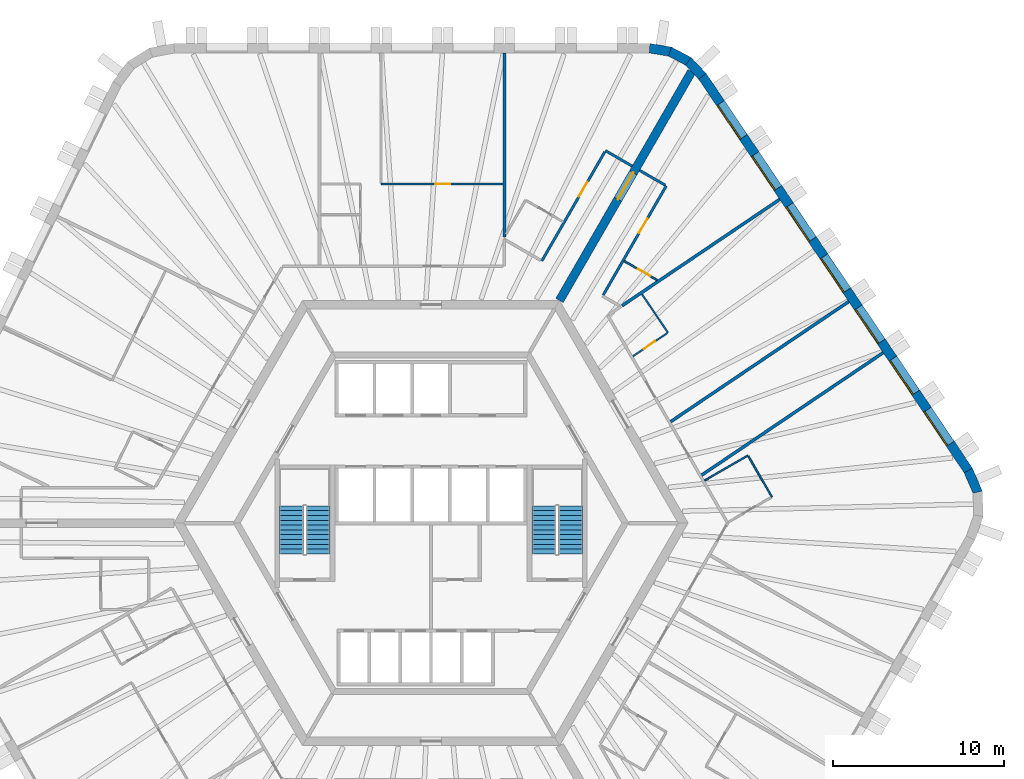
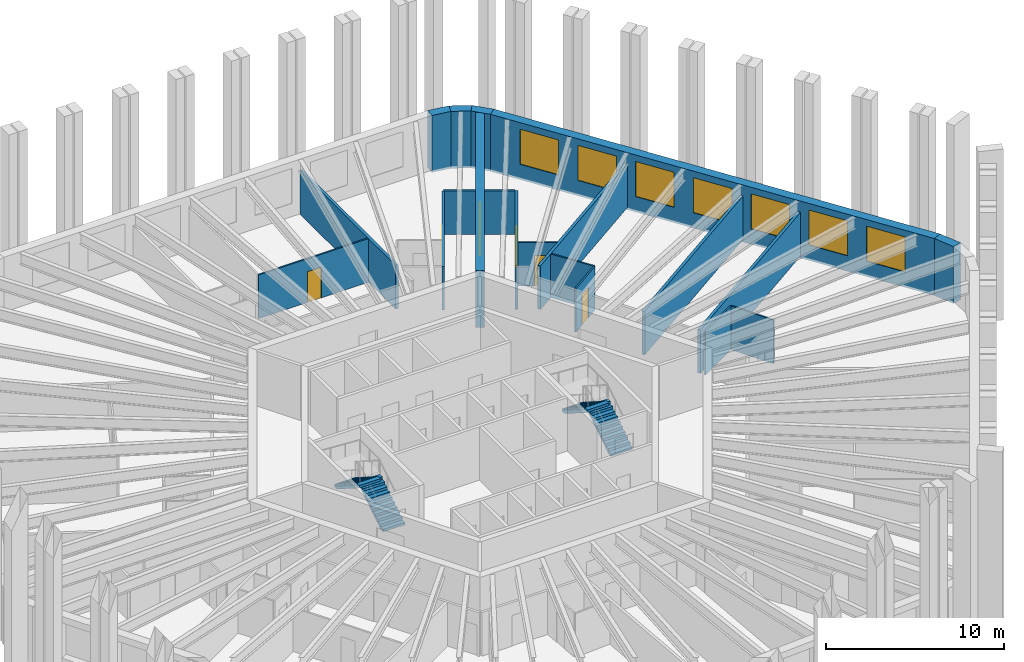
# One storey, part 9 of 10: 20 walls, 7 windows, 6 doors, 4 stair flights, 13 openings, 2 elements without a shape of their own.
"""IFC4 building model written with IfcOpenShell, lengths in metres."""

from ifc_helpers import new_model, si_unit, direction, frame, frame_2d, origin, place, context, subcontext, project, spatial, polyline, rectangle, outline, extrude, material, layer, layer_set, type_object, element, fill, aggregate, save


model = new_model("IFC4")

# Units and contexts
model_context = context("Model", 3, precision=1e-05, world=origin(), true_north=direction((0.0, 1.0)))
body_context = subcontext(model_context, "Body", "Model", "MODEL_VIEW")
ifc_project = project(units=[si_unit("LENGTHUNIT", "METRE"), si_unit("AREAUNIT", "SQUARE_METRE"), si_unit("VOLUMEUNIT", "CUBIC_METRE"), si_unit("PLANEANGLEUNIT", "RADIAN"), si_unit("MASSUNIT", "GRAM", prefix="KILO")], contexts=[model_context])

# Site, building, storey
site_placement = place(None, origin())
site = spatial("IfcSite", under=ifc_project, at=site_placement, CompositionType="ELEMENT")
building_placement = place(site_placement, origin())
building = spatial("IfcBuilding", under=site, at=building_placement, Name="Tarnside Tower", CompositionType="ELEMENT")
storey_placement = place(building_placement, frame((0.0, 0.0, 195.60009765625)))
storey = spatial("IfcBuildingStorey", under=building, at=storey_placement, Name="L46", CompositionType="ELEMENT", Elevation=195.60009765625)

# Walls
ifc_material_1 = material(Name="Gypsum board partition on steel studs", Category="steel")
ifc_layer_1 = layer(ifc_material_1, 0.10009765625)
ifc_layer_set_1 = layer_set([ifc_layer_1], Name="Bathroom wall 100")
wall_type_1 = type_object("IfcWallType", Name="Bathroom wall 100", PredefinedType="PARTITIONING", material=ifc_layer_set_1)
wall_1_placement = place(storey_placement, frame((15.972900390625, 2.484375, 0.0), z_axis=(0.0, 0.0, 1.0), x_axis=(0.866025730634, 0.499999433879, 0.0)))
element("IfcWall", 1, at=wall_1_placement, inside=storey, type_object=wall_type_1, Name="Bathroom wall 15103", PredefinedType="PARTITIONING", context=body_context, shape_type="SweptSolid", body=[
    extrude(rectangle(XDim=2.9248046875, YDim=0.10009765625, at=frame_2d((1.46240234375, 0.0))), origin(), (0.0, 0.0, 1.0), 2.98779296875),
])
wall_2_placement = place(storey_placement, frame((18.531005859375, 3.903564453125, 0.0), z_axis=(0.0, 0.0, 1.0), x_axis=(0.499996545922, -0.866027397988, 0.0)))
element("IfcWall", 2, at=wall_2_placement, inside=storey, type_object=wall_type_1, Name="Bathroom wall 15104", PredefinedType="PARTITIONING", context=body_context, shape_type="SweptSolid", body=[
    extrude(rectangle(XDim=2.75, YDim=0.10009765625, at=frame_2d((1.375, 0.0))), origin(), (0.0, 0.0, 1.0), 2.98779296875),
])
wall_3_placement = place(storey_placement, frame((12.31689453125, 13.3642578125, 0.0), z_axis=(0.0, 0.0, 1.0), x_axis=(0.559203592691, -0.829030362485, 0.0)))
element("IfcWall", 3, at=wall_3_placement, inside=storey, type_object=wall_type_1, Name="Bathroom wall 15108", PredefinedType="PARTITIONING", context=body_context, shape_type="SweptSolid", body=[
    extrude(rectangle(XDim=2.7099609375, YDim=0.10009765625, at=frame_2d((1.35498046875, 0.0))), origin(), (0.0, 0.0, 1.0), 2.98779296875),
])

# Wall, opening, door
wall_4_placement = place(storey_placement, frame((13.790771484375, 11.089599609375, 0.0), z_axis=(0.0, 0.0, 1.0), x_axis=(-0.829056894888, -0.559164255866, 0.0)))
wall_4 = element("IfcWall", 4, at=wall_4_placement, inside=storey, type_object=wall_type_1, Name="Bathroom wall 15109", PredefinedType="PARTITIONING", context=body_context, shape_type="SweptSolid", body=[
    extrude(rectangle(XDim=2.4189453125, YDim=0.10009765625, at=frame_2d((1.20947265625, 0.0))), origin(), (0.0, 0.0, 1.0), 2.98779296875),
])
opening_1_placement = place(wall_4_placement, frame((0.85009765625, 0.0, 0.0)))
opening_1 = element("IfcOpeningElement", 5, at=opening_1_placement, cuts=wall_4, Name="Opening D-B1", PredefinedType="OPENING", context=body_context, shape_type="SweptSolid", body=[
    extrude(rectangle(XDim=0.800048828125, YDim=2.10009765625, at=frame_2d((0.39990234375, 1.050048828125))), frame((0.0, 0.06005859375, 0.0), z_axis=(0.0, -1.0, 0.0), x_axis=(1.0, 0.0, 0.0)), (0.0, 0.0, 1.0), 0.1201171875),
])
ifc_material_2 = material(Name="Timber door leaf", Category="wood")
door_type_1 = type_object("IfcDoorType", Name="Bathroom door 800", OperationType="NOTDEFINED", PredefinedType="DOOR", material=ifc_material_2)
door_1_placement = place(opening_1_placement, origin())
door_1 = element("IfcDoor", 6, at=door_1_placement, inside=storey, type_object=door_type_1, Name="Bathroom door 15034", OperationType="SINGLE_SWING_LEFT", OverallHeight=2.10009765625, OverallWidth=0.800048828125, PredefinedType="DOOR", context=body_context, shape_type="SweptSolid", body=[
    extrude(rectangle(XDim=0.800048828125, YDim=2.10009765625, at=frame_2d((0.39990234375, 1.050048828125))), frame((0.0, 0.02490234375, 0.0), z_axis=(0.0, -1.0, 0.0), x_axis=(1.0, 0.0, 0.0)), (0.0, 0.0, 1.0), 0.050048828125),
])
fill(opening_1, door_1)

wall_5_placement = place(storey_placement, frame((11.28369140625, 15.294189453125, 0.0), z_axis=(0.0, 0.0, 1.0), x_axis=(0.866017295027, -0.500014044516, 0.0)))
wall_5 = element("IfcWall", 7, at=wall_5_placement, inside=storey, type_object=wall_type_1, Name="Bathroom wall 15113", PredefinedType="PARTITIONING", context=body_context, shape_type="SweptSolid", body=[
    extrude(rectangle(XDim=2.22265625, YDim=0.10009765625, at=frame_2d((1.111328125, 0.0))), origin(), (0.0, 0.0, 1.0), 2.98779296875),
])
opening_2_placement = place(wall_5_placement, frame((0.925048828125, 0.0, 0.0)))
opening_2 = element("IfcOpeningElement", 8, at=opening_2_placement, cuts=wall_5, Name="Opening D-B1", PredefinedType="OPENING", context=body_context, shape_type="SweptSolid", body=[
    extrude(rectangle(XDim=0.800048828125, YDim=2.10009765625, at=frame_2d((0.39990234375, 1.050048828125))), frame((0.0, 0.06005859375, 0.0), z_axis=(0.0, -1.0, 0.0), x_axis=(1.0, 0.0, 0.0)), (0.0, 0.0, 1.0), 0.1201171875),
])
door_2_placement = place(opening_2_placement, origin())
door_2 = element("IfcDoor", 9, at=door_2_placement, inside=storey, type_object=door_type_1, Name="Bathroom door 15036", OperationType="SINGLE_SWING_LEFT", OverallHeight=2.10009765625, OverallWidth=0.800048828125, PredefinedType="DOOR", context=body_context, shape_type="SweptSolid", body=[
    extrude(rectangle(XDim=0.800048828125, YDim=2.10009765625, at=frame_2d((0.39990234375, 1.050048828125))), frame((0.0, 0.02490234375, 0.0), z_axis=(0.0, -1.0, 0.0), x_axis=(1.0, 0.0, 0.0)), (0.0, 0.0, 1.0), 0.050048828125),
])
fill(opening_2, door_2)

ifc_material_3 = material(Name="Concrete C70/85", Category="concrete")
ifc_layer_2 = layer(ifc_material_3, 0.5)
ifc_layer_set_2 = layer_set([ifc_layer_2], Name="Core wall Z2 500 C70/85")
wall_type_2 = type_object("IfcWallType", Name="Core wall Z2 500 C70/85", PredefinedType="SHEAR", material=ifc_layer_set_2)
wall_6_placement = place(storey_placement, frame((7.505615234375, 13.0, -0.150146484375), z_axis=(0.0, 0.0, 1.0), x_axis=(0.499988271576, 0.866032175087, 0.0)))
wall_6 = element("IfcWall", 10, at=wall_6_placement, inside=storey, type_object=wall_type_2, Name="L46 spine wall 1", PredefinedType="SHEAR", context=body_context, shape_type="SweptSolid", body=[
    extrude(rectangle(XDim=15.423583984375, YDim=0.5, at=frame_2d((7.7119140625, 0.0))), origin(), (0.0, 0.0, 1.0), 3.900146484375),
])
opening_3_placement = place(wall_6_placement, frame((6.811767578125, 0.0, 0.14990234375)))
opening_3 = element("IfcOpeningElement", 11, at=opening_3_placement, cuts=wall_6, Name="Opening CD-SPN", PredefinedType="OPENING", context=body_context, shape_type="SweptSolid", body=[
    extrude(rectangle(XDim=1.800048828125, YDim=2.39990234375, at=frame_2d((0.89990234375, 1.199951171875))), frame((0.0, 0.260009765625, 0.0), z_axis=(0.0, -1.0, 0.0), x_axis=(1.0, 0.0, 0.0)), (0.0, 0.0, 1.0), 0.52001953125),
])
ifc_material_4 = material(Name="Steel fire door", Category="steel")
door_type_2 = type_object("IfcDoorType", Name="Spine passage double door FD60 1800x2400", OperationType="NOTDEFINED", PredefinedType="DOOR", material=ifc_material_4)
door_3_placement = place(opening_3_placement, origin())
door_3 = element("IfcDoor", 12, at=door_3_placement, inside=storey, type_object=door_type_2, Name="L46 spine passage door 1", OperationType="DOUBLE_DOOR_SINGLE_SWING", OverallHeight=2.39990234375, OverallWidth=1.800048828125, PredefinedType="DOOR", context=body_context, shape_type="SweptSolid", body=[
    extrude(rectangle(XDim=1.800048828125, YDim=2.39990234375, at=frame_2d((0.89990234375, 1.199951171875))), frame((0.0, 0.02490234375, 0.0), z_axis=(0.0, -1.0, 0.0), x_axis=(1.0, 0.0, 0.0)), (0.0, 0.0, 1.0), 0.050048828125),
])
fill(opening_3, door_3)

# Wall
ifc_layer_3 = layer(ifc_material_1, 0.14990234375)
ifc_layer_set_3 = layer_set([ifc_layer_3], Name="Corridor wall 150 EI 60")
wall_type_3 = type_object("IfcWallType", Name="Corridor wall 150 EI 60", PredefinedType="PARTITIONING", material=ifc_layer_set_3)
wall_7_placement = place(storey_placement, frame((11.744873046875, 20.8427734375, 0.0), z_axis=(0.0, 0.0, 1.0), x_axis=(-0.865989075817, 0.500062916607, 0.0)))
element("IfcWall", 13, at=wall_7_placement, inside=storey, type_object=wall_type_3, Name="Corridor wall 15001", PredefinedType="PARTITIONING", context=body_context, shape_type="SweptSolid", body=[
    extrude(rectangle(XDim=1.800048828125, YDim=0.14990234375, at=frame_2d((0.89990234375, 0.0))), origin(), (0.0, 0.0, 1.0), 2.98779296875),
])

# Wall, opening, door
wall_8_placement = place(storey_placement, frame((10.148681640625, 21.677978515625, 0.0), z_axis=(0.0, 0.0, 1.0), x_axis=(-0.500020076982, -0.866013812023, 0.0)))
wall_8 = element("IfcWall", 14, at=wall_8_placement, inside=storey, type_object=wall_type_3, Name="Corridor wall 15002", PredefinedType="PARTITIONING", context=body_context, shape_type="SweptSolid", body=[
    extrude(rectangle(XDim=7.361083984375, YDim=0.14990234375, at=frame_2d((3.6806640625, 0.0))), origin(), (0.0, 0.0, 1.0), 2.98779296875),
])
opening_4_placement = place(wall_8_placement, frame((2.01806640625, 0.0, 0.0)))
opening_4 = element("IfcOpeningElement", 15, at=opening_4_placement, cuts=wall_8, Name="Opening D-E1", PredefinedType="OPENING", context=body_context, shape_type="SweptSolid", body=[
    extrude(rectangle(XDim=1.0, YDim=2.10009765625, at=frame_2d((0.5, 1.050048828125))), frame((0.0, 0.0849609375, 0.0), z_axis=(0.0, -1.0, 0.0), x_axis=(1.0, 0.0, 0.0)), (0.0, 0.0, 1.0), 0.169921875),
])
door_type_3 = type_object("IfcDoorType", Name="Unit entrance door 1000 FD30S", OperationType="NOTDEFINED", PredefinedType="DOOR", material=ifc_material_2)
door_4_placement = place(opening_4_placement, origin())
door_4 = element("IfcDoor", 16, at=door_4_placement, inside=storey, type_object=door_type_3, Name="Unit door 15001", OperationType="SINGLE_SWING_LEFT", OverallHeight=2.10009765625, OverallWidth=1.0, PredefinedType="DOOR", context=body_context, shape_type="SweptSolid", body=[
    extrude(rectangle(XDim=1.0, YDim=2.10009765625, at=frame_2d((0.5, 1.050048828125))), frame((0.0, 0.02490234375, 0.0), z_axis=(0.0, -1.0, 0.0), x_axis=(1.0, 0.0, 0.0)), (0.0, 0.0, 1.0), 0.050048828125),
])
fill(opening_4, door_4)

wall_9_placement = place(storey_placement, frame((10.056396484375, 13.318115234375, 0.0), z_axis=(0.0, 0.0, 1.0), x_axis=(0.499995202058, 0.86602817386, 0.0)))
wall_9 = element("IfcWall", 17, at=wall_9_placement, inside=storey, type_object=wall_type_3, Name="Corridor wall 15046", PredefinedType="PARTITIONING", context=body_context, shape_type="SweptSolid", body=[
    extrude(rectangle(XDim=7.36083984375, YDim=0.14990234375, at=frame_2d((3.680419921875, 0.0))), origin(), (0.0, 0.0, 1.0), 2.98779296875),
])
opening_5_placement = place(wall_9_placement, frame((4.16796875, 0.0, 0.0)))
opening_5 = element("IfcOpeningElement", 18, at=opening_5_placement, cuts=wall_9, Name="Opening D-E1", PredefinedType="OPENING", context=body_context, shape_type="SweptSolid", body=[
    extrude(rectangle(XDim=1.0, YDim=2.10009765625, at=frame_2d((0.5, 1.050048828125))), frame((0.0, 0.0849609375, 0.0), z_axis=(0.0, -1.0, 0.0), x_axis=(1.0, 0.0, 0.0)), (0.0, 0.0, 1.0), 0.169921875),
])
door_5_placement = place(opening_5_placement, origin())
door_5 = element("IfcDoor", 19, at=door_5_placement, inside=storey, type_object=door_type_3, Name="Unit door 15035", OperationType="SINGLE_SWING_RIGHT", OverallHeight=2.10009765625, OverallWidth=1.0, PredefinedType="DOOR", context=body_context, shape_type="SweptSolid", body=[
    extrude(rectangle(XDim=1.0, YDim=2.10009765625, at=frame_2d((0.5, 1.050048828125))), frame((0.0, 0.02490234375, 0.0), z_axis=(0.0, -1.0, 0.0), x_axis=(1.0, 0.0, 0.0)), (0.0, 0.0, 1.0), 0.050048828125),
])
fill(opening_5, door_5)

# Walls
wall_10_placement = place(storey_placement, frame((13.671875, 19.73046875, 0.0), z_axis=(0.0, 0.0, 1.0), x_axis=(-0.866074815912, 0.499914405916, 0.0)))
element("IfcWall", 20, at=wall_10_placement, inside=storey, type_object=wall_type_3, Name="Corridor wall 15047", PredefinedType="PARTITIONING", context=body_context, shape_type="SweptSolid", body=[
    extrude(rectangle(XDim=1.724853515625, YDim=0.14990234375, at=frame_2d((0.8623046875, 0.0))), origin(), (0.0, 0.0, 1.0), 2.98779296875),
])
ifc_layer_4 = layer(ifc_material_1, 0.179931640625)
ifc_layer_set_4 = layer_set([ifc_layer_4], Name="Demising wall 180 EI 60")
wall_type_4 = type_object("IfcWallType", Name="Demising wall 180 EI 60", PredefinedType="PARTITIONING", material=ifc_layer_set_4)
wall_11_placement = place(storey_placement, frame((4.2822265625, 27.449951171875, 0.0), z_axis=(0.0, 0.0, 1.0), x_axis=(0.0, -1.0, 0.0)))
element("IfcWall", 21, at=wall_11_placement, inside=storey, type_object=wall_type_4, Name="Demising wall 15052", PredefinedType="PARTITIONING", context=body_context, shape_type="SweptSolid", body=[
    extrude(rectangle(XDim=10.735107421875, YDim=0.179931640625, at=frame_2d((5.36767578125, 0.0))), origin(), (0.0, 0.0, 1.0), 2.98779296875),
])
wall_12_placement = place(storey_placement, frame((26.40185546875, 9.9462890625, 0.0), z_axis=(0.0, 0.0, 1.0), x_axis=(-0.829037771727, -0.559192608187, 0.0)))
element("IfcWall", 22, at=wall_12_placement, inside=storey, type_object=wall_type_4, Name="Demising wall 15106", PredefinedType="PARTITIONING", context=body_context, shape_type="SweptSolid", body=[
    extrude(rectangle(XDim=12.7939453125, YDim=0.179931640625, at=frame_2d((6.39697265625, 0.0))), origin(), (0.0, 0.0, 1.0), 2.98779296875),
])
wall_13_placement = place(storey_placement, frame((24.388671875, 12.9306640625, 0.0), z_axis=(0.0, 0.0, 1.0), x_axis=(-0.829040439793, -0.559188652593, 0.0)))
element("IfcWall", 23, at=wall_13_placement, inside=storey, type_object=wall_type_4, Name="Demising wall 15107", PredefinedType="PARTITIONING", context=body_context, shape_type="SweptSolid", body=[
    extrude(rectangle(XDim=12.542236328125, YDim=0.179931640625, at=frame_2d((6.27099609375, 0.0))), origin(), (0.0, 0.0, 1.0), 2.98779296875),
])
wall_14_placement = place(storey_placement, frame((20.362548828125, 18.89990234375, 0.0), z_axis=(0.0, 0.0, 1.0), x_axis=(-0.82903304346, -0.559199618072, 0.0)))
element("IfcWall", 24, at=wall_14_placement, inside=storey, type_object=wall_type_4, Name="Demising wall 15110", PredefinedType="PARTITIONING", context=body_context, shape_type="SweptSolid", body=[
    extrude(rectangle(XDim=11.111572265625, YDim=0.179931640625, at=frame_2d((5.5556640625, 0.0))), origin(), (0.0, 0.0, 1.0), 2.98779296875),
])

# Wall, opening, door
ifc_layer_5 = layer(ifc_material_1, 0.10009765625)
ifc_layer_set_5 = layer_set([ifc_layer_5], Name="Partition 100")
wall_type_5 = type_object("IfcWallType", Name="Partition 100", PredefinedType="PARTITIONING", material=ifc_layer_set_5)
wall_15_placement = place(storey_placement, frame((4.192138671875, 19.800048828125, 0.0), z_axis=(0.0, 0.0, 1.0), x_axis=(-1.0, 0.0, 0.0)))
wall_15 = element("IfcWall", 25, at=wall_15_placement, inside=storey, type_object=wall_type_5, Name="Partition wall 15057", PredefinedType="PARTITIONING", context=body_context, shape_type="SweptSolid", body=[
    extrude(rectangle(XDim=7.110107421875, YDim=0.10009765625, at=frame_2d((3.55517578125, 0.0))), origin(), (0.0, 0.0, 1.0), 2.98779296875),
])
opening_6_placement = place(wall_15_placement, frame((3.06005859375, 0.0, 0.0)))
opening_6 = element("IfcOpeningElement", 26, at=opening_6_placement, cuts=wall_15, Name="Opening D-I1", PredefinedType="OPENING", context=body_context, shape_type="SweptSolid", body=[
    extrude(rectangle(XDim=0.89990234375, YDim=2.10009765625, at=frame_2d((0.449951171875, 1.050048828125))), frame((0.0, 0.06005859375, 0.0), z_axis=(0.0, -1.0, 0.0), x_axis=(1.0, 0.0, 0.0)), (0.0, 0.0, 1.0), 0.1201171875),
])
door_type_4 = type_object("IfcDoorType", Name="Internal door 900", OperationType="NOTDEFINED", PredefinedType="DOOR", material=ifc_material_2)
door_6_placement = place(opening_6_placement, origin())
door_6 = element("IfcDoor", 27, at=door_6_placement, inside=storey, type_object=door_type_4, Name="Internal door 15006", OperationType="SINGLE_SWING_RIGHT", OverallHeight=2.10009765625, OverallWidth=0.89990234375, PredefinedType="DOOR", context=body_context, shape_type="SweptSolid", body=[
    extrude(rectangle(XDim=0.89990234375, YDim=2.10009765625, at=frame_2d((0.449951171875, 1.050048828125))), frame((0.0, 0.02490234375, 0.0), z_axis=(0.0, -1.0, 0.0), x_axis=(1.0, 0.0, 0.0)), (0.0, 0.0, 1.0), 0.050048828125),
])
fill(opening_6, door_6)

# Wall
ifc_material_5 = material(Name="Facing brick", Category="masonry")
ifc_layer_6 = layer(ifc_material_5, 0.10205078125)
ifc_material_6 = material(Name="Concrete C60/75 precast", Category="concrete")
ifc_layer_7 = layer(ifc_material_6, 0.347900390625)
ifc_material_7 = material(Name="Mineral wool insulation")
ifc_layer_8 = layer(ifc_material_7, 0.10009765625)
ifc_layer_set_6 = layer_set([ifc_layer_6, ifc_layer_7, ifc_layer_8], Name="Tube wall 550 brick faced")
wall_type_6 = type_object("IfcWallType", Name="Tube wall 550 brick faced", PredefinedType="SOLIDWALL", material=ifc_layer_set_6)
wall_16_placement = place(storey_placement, frame((31.91748046875, 1.804443359375, -0.150146484375), z_axis=(0.0, 0.0, 1.0), x_axis=(-0.396225741392, 0.918153125496, 0.0)))
element("IfcWall", 28, at=wall_16_placement, inside=storey, type_object=wall_type_6, Name="Tube wall L46 F5 chord 19", PredefinedType="SOLIDWALL", context=body_context, shape_type="SweptSolid", body=[
    extrude(outline(polyline([(-0.0517578125, -0.27490234375), (1.404541015625, -0.27490234375), (1.353271484375, 0.27490234375), (0.0517578125, 0.27490234375), (-0.0517578125, -0.27490234375)])), origin(), (0.0, 0.0, 1.0), 3.900146484375),
])

# Wall, openings, windows
wall_17_placement = place(storey_placement, frame((31.37109375, 3.070556640625, -0.150146484375), z_axis=(0.0, 0.0, 1.0), x_axis=(-0.559189891278, 0.829039604297, 0.0)))
wall_17 = element("IfcWall", 29, at=wall_17_placement, inside=storey, type_object=wall_type_6, Name="Tube wall L46 F6 flush 20", PredefinedType="SOLIDWALL", context=body_context, shape_type="SweptSolid", body=[
    extrude(outline(polyline([(-0.025634765625, -0.27490234375), (27.780517578125, -0.27490234375), (27.735595703125, 0.27490234375), (0.025634765625, 0.27490234375), (-0.025634765625, -0.27490234375)])), origin(), (0.0, 0.0, 1.0), 3.900146484375),
])
opening_7_placement = place(wall_17_placement, frame((1.87890625, 0.0, 1.050048828125)))
opening_7 = element("IfcOpeningElement", 30, at=opening_7_placement, cuts=wall_17, Name="Opening WH", PredefinedType="OPENING", context=body_context, shape_type="SweptSolid", body=[
    extrude(rectangle(XDim=2.39990234375, YDim=2.39990234375, at=frame_2d((1.199951171875, 1.199951171875))), frame((0.0, 0.28515625, 0.0), z_axis=(0.0, -1.0, 0.0), x_axis=(1.0, 0.0, 0.0)), (0.0, 0.0, 1.0), 0.570068359375),
])
opening_8_placement = place(wall_17_placement, frame((5.47900390625, 0.0, 1.050048828125)))
opening_8 = element("IfcOpeningElement", 31, at=opening_8_placement, cuts=wall_17, Name="Opening WH", PredefinedType="OPENING", context=body_context, shape_type="SweptSolid", body=[
    extrude(rectangle(XDim=2.39990234375, YDim=2.39990234375, at=frame_2d((1.199951171875, 1.199951171875))), frame((0.0, 0.28515625, 0.0), z_axis=(0.0, -1.0, 0.0), x_axis=(1.0, 0.0, 0.0)), (0.0, 0.0, 1.0), 0.570068359375),
])
opening_9_placement = place(wall_17_placement, frame((9.078857421875, 0.0, 1.050048828125)))
opening_9 = element("IfcOpeningElement", 32, at=opening_9_placement, cuts=wall_17, Name="Opening WH", PredefinedType="OPENING", context=body_context, shape_type="SweptSolid", body=[
    extrude(rectangle(XDim=2.39990234375, YDim=2.39990234375, at=frame_2d((1.199951171875, 1.199951171875))), frame((0.0, 0.28515625, 0.0), z_axis=(0.0, -1.0, 0.0), x_axis=(1.0, 0.0, 0.0)), (0.0, 0.0, 1.0), 0.570068359375),
])
opening_10_placement = place(wall_17_placement, frame((12.678955078125, 0.0, 1.050048828125)))
opening_10 = element("IfcOpeningElement", 33, at=opening_10_placement, cuts=wall_17, Name="Opening WH", PredefinedType="OPENING", context=body_context, shape_type="SweptSolid", body=[
    extrude(rectangle(XDim=2.39990234375, YDim=2.39990234375, at=frame_2d((1.199951171875, 1.199951171875))), frame((0.0, 0.28515625, 0.0), z_axis=(0.0, -1.0, 0.0), x_axis=(1.0, 0.0, 0.0)), (0.0, 0.0, 1.0), 0.570068359375),
])
opening_11_placement = place(wall_17_placement, frame((16.27880859375, 0.0, 1.050048828125)))
opening_11 = element("IfcOpeningElement", 34, at=opening_11_placement, cuts=wall_17, Name="Opening WH", PredefinedType="OPENING", context=body_context, shape_type="SweptSolid", body=[
    extrude(rectangle(XDim=2.39990234375, YDim=2.39990234375, at=frame_2d((1.199951171875, 1.199951171875))), frame((0.0, 0.28515625, 0.0), z_axis=(0.0, -1.0, 0.0), x_axis=(1.0, 0.0, 0.0)), (0.0, 0.0, 1.0), 0.570068359375),
])
opening_12_placement = place(wall_17_placement, frame((19.87890625, 0.0, 1.050048828125)))
opening_12 = element("IfcOpeningElement", 35, at=opening_12_placement, cuts=wall_17, Name="Opening WH", PredefinedType="OPENING", context=body_context, shape_type="SweptSolid", body=[
    extrude(rectangle(XDim=2.39990234375, YDim=2.39990234375, at=frame_2d((1.199951171875, 1.199951171875))), frame((0.0, 0.28515625, 0.0), z_axis=(0.0, -1.0, 0.0), x_axis=(1.0, 0.0, 0.0)), (0.0, 0.0, 1.0), 0.570068359375),
])
opening_13_placement = place(wall_17_placement, frame((23.47900390625, 0.0, 1.050048828125)))
opening_13 = element("IfcOpeningElement", 36, at=opening_13_placement, cuts=wall_17, Name="Opening WH", PredefinedType="OPENING", context=body_context, shape_type="SweptSolid", body=[
    extrude(rectangle(XDim=2.39990234375, YDim=2.39990234375, at=frame_2d((1.199951171875, 1.199951171875))), frame((0.0, 0.28515625, 0.0), z_axis=(0.0, -1.0, 0.0), x_axis=(1.0, 0.0, 0.0)), (0.0, 0.0, 1.0), 0.570068359375),
])
ifc_material_8 = material(Name="Aluminium-framed double glazing", Category="aluminium")
window_type = type_object("IfcWindowType", Name="Hotel window 2400 x 2400", PartitioningType="DOUBLE_PANEL_VERTICAL", PredefinedType="WINDOW", material=ifc_material_8)
window_1_placement = place(opening_7_placement, frame((0.0, 0.205078125, 0.0)))
window_1 = element("IfcWindow", 37, at=window_1_placement, inside=storey, type_object=window_type, Name="E.WN.L46.F6.00", OverallHeight=2.39990234375, OverallWidth=2.39990234375, PartitioningType="DOUBLE_PANEL_VERTICAL", PredefinedType="WINDOW", context=body_context, shape_type="SweptSolid", body=[
    extrude(rectangle(XDim=2.39990234375, YDim=2.39990234375, at=frame_2d((1.199951171875, 1.199951171875))), frame((0.0, 0.030029296875, 0.0), z_axis=(0.0, -1.0, 0.0), x_axis=(1.0, 0.0, 0.0)), (0.0, 0.0, 1.0), 0.06005859375),
])
fill(opening_7, window_1)
window_2_placement = place(opening_8_placement, frame((0.0, 0.205078125, 0.0)))
window_2 = element("IfcWindow", 38, at=window_2_placement, inside=storey, type_object=window_type, Name="E.WN.L46.F6.01", OverallHeight=2.39990234375, OverallWidth=2.39990234375, PartitioningType="DOUBLE_PANEL_VERTICAL", PredefinedType="WINDOW", context=body_context, shape_type="SweptSolid", body=[
    extrude(rectangle(XDim=2.39990234375, YDim=2.39990234375, at=frame_2d((1.199951171875, 1.199951171875))), frame((0.0, 0.030029296875, 0.0), z_axis=(0.0, -1.0, 0.0), x_axis=(1.0, 0.0, 0.0)), (0.0, 0.0, 1.0), 0.06005859375),
])
fill(opening_8, window_2)
window_3_placement = place(opening_9_placement, frame((0.0, 0.205078125, 0.0)))
window_3 = element("IfcWindow", 39, at=window_3_placement, inside=storey, type_object=window_type, Name="E.WN.L46.F6.02", OverallHeight=2.39990234375, OverallWidth=2.39990234375, PartitioningType="DOUBLE_PANEL_VERTICAL", PredefinedType="WINDOW", context=body_context, shape_type="SweptSolid", body=[
    extrude(rectangle(XDim=2.39990234375, YDim=2.39990234375, at=frame_2d((1.199951171875, 1.199951171875))), frame((0.0, 0.030029296875, 0.0), z_axis=(0.0, -1.0, 0.0), x_axis=(1.0, 0.0, 0.0)), (0.0, 0.0, 1.0), 0.06005859375),
])
fill(opening_9, window_3)
window_4_placement = place(opening_10_placement, frame((0.0, 0.205078125, 0.0)))
window_4 = element("IfcWindow", 40, at=window_4_placement, inside=storey, type_object=window_type, Name="E.WN.L46.F6.03", OverallHeight=2.39990234375, OverallWidth=2.39990234375, PartitioningType="DOUBLE_PANEL_VERTICAL", PredefinedType="WINDOW", context=body_context, shape_type="SweptSolid", body=[
    extrude(rectangle(XDim=2.39990234375, YDim=2.39990234375, at=frame_2d((1.199951171875, 1.199951171875))), frame((0.0, 0.030029296875, 0.0), z_axis=(0.0, -1.0, 0.0), x_axis=(1.0, 0.0, 0.0)), (0.0, 0.0, 1.0), 0.06005859375),
])
fill(opening_10, window_4)
window_5_placement = place(opening_11_placement, frame((0.0, 0.205078125, 0.0)))
window_5 = element("IfcWindow", 41, at=window_5_placement, inside=storey, type_object=window_type, Name="E.WN.L46.F6.04", OverallHeight=2.39990234375, OverallWidth=2.39990234375, PartitioningType="DOUBLE_PANEL_VERTICAL", PredefinedType="WINDOW", context=body_context, shape_type="SweptSolid", body=[
    extrude(rectangle(XDim=2.39990234375, YDim=2.39990234375, at=frame_2d((1.199951171875, 1.199951171875))), frame((0.0, 0.030029296875, 0.0), z_axis=(0.0, -1.0, 0.0), x_axis=(1.0, 0.0, 0.0)), (0.0, 0.0, 1.0), 0.06005859375),
])
fill(opening_11, window_5)
window_6_placement = place(opening_12_placement, frame((0.0, 0.205078125, 0.0)))
window_6 = element("IfcWindow", 42, at=window_6_placement, inside=storey, type_object=window_type, Name="E.WN.L46.F6.05", OverallHeight=2.39990234375, OverallWidth=2.39990234375, PartitioningType="DOUBLE_PANEL_VERTICAL", PredefinedType="WINDOW", context=body_context, shape_type="SweptSolid", body=[
    extrude(rectangle(XDim=2.39990234375, YDim=2.39990234375, at=frame_2d((1.199951171875, 1.199951171875))), frame((0.0, 0.030029296875, 0.0), z_axis=(0.0, -1.0, 0.0), x_axis=(1.0, 0.0, 0.0)), (0.0, 0.0, 1.0), 0.06005859375),
])
fill(opening_12, window_6)
window_7_placement = place(opening_13_placement, frame((0.0, 0.205078125, 0.0)))
window_7 = element("IfcWindow", 43, at=window_7_placement, inside=storey, type_object=window_type, Name="E.WN.L46.F6.06", OverallHeight=2.39990234375, OverallWidth=2.39990234375, PartitioningType="DOUBLE_PANEL_VERTICAL", PredefinedType="WINDOW", context=body_context, shape_type="SweptSolid", body=[
    extrude(rectangle(XDim=2.39990234375, YDim=2.39990234375, at=frame_2d((1.199951171875, 1.199951171875))), frame((0.0, 0.030029296875, 0.0), z_axis=(0.0, -1.0, 0.0), x_axis=(1.0, 0.0, 0.0)), (0.0, 0.0, 1.0), 0.06005859375),
])
fill(opening_13, window_7)

# Walls
wall_18_placement = place(storey_placement, frame((15.84912109375, 26.0830078125, -0.150146484375), z_axis=(0.0, 0.0, 1.0), x_axis=(-0.686196220404, 0.727416488061, 0.0)))
element("IfcWall", 44, at=wall_18_placement, inside=storey, type_object=wall_type_6, Name="Tube wall L46 F6 chord 21", PredefinedType="SOLIDWALL", context=body_context, shape_type="SweptSolid", body=[
    extrude(outline(polyline([(-0.0224609375, -0.27490234375), (1.25341796875, -0.27490234375), (1.1630859375, 0.27490234375), (0.0224609375, 0.27490234375), (-0.0224609375, -0.27490234375)])), origin(), (0.0, 0.0, 1.0), 3.900146484375),
])
wall_19_placement = place(storey_placement, frame((15.02001953125, 26.9619140625, -0.150146484375), z_axis=(0.0, 0.0, 1.0), x_axis=(-0.882950818639, 0.469465495926, 0.0)))
element("IfcWall", 45, at=wall_19_placement, inside=storey, type_object=wall_type_6, Name="Tube wall L46 F6 chord 22", PredefinedType="SOLIDWALL", context=body_context, shape_type="SweptSolid", body=[
    extrude(outline(polyline([(-0.045166015625, -0.27490234375), (1.253173828125, -0.27490234375), (1.162841796875, 0.27490234375), (0.045166015625, 0.27490234375), (-0.045166015625, -0.27490234375)])), origin(), (0.0, 0.0, 1.0), 3.900146484375),
])
wall_20_placement = place(storey_placement, frame((13.953369140625, 27.529052734375, -0.150146484375), z_axis=(0.0, 0.0, 1.0), x_axis=(-0.986751945211, 0.162236243244, 0.0)))
element("IfcWall", 46, at=wall_20_placement, inside=storey, type_object=wall_type_6, Name="Tube wall L46 F6 chord 23", PredefinedType="SOLIDWALL", context=body_context, shape_type="SweptSolid", body=[
    extrude(outline(polyline([(-0.045166015625, -0.27490234375), (1.23095703125, -0.27490234375), (1.18603515625, 0.27490234375), (0.045166015625, 0.27490234375), (-0.045166015625, -0.27490234375)])), origin(), (0.0, 0.0, 1.0), 3.900146484375),
])

# Stair, stair flights
ifc_material_9 = material(Name="Concrete C40/50", Category="concrete")
stair_type = type_object("IfcStairType", Name="Exit stair 1400 clear", PredefinedType="HALF_TURN_STAIR", material=ifc_material_9)
stair_1_placement = place(storey_placement, origin())
stair_1 = element("IfcStair", 47, at=stair_1_placement, inside=storey, type_object=stair_type, Name="L46 Exit stair 1", PredefinedType="HALF_TURN_STAIR")
stair_flight_type = type_object("IfcStairFlightType", Name="Exit stair flight 1400", PredefinedType="STRAIGHT", material=ifc_material_9)
stair_flight_1_placement = place(storey_placement, frame((8.14990234375, -1.800048828125, 0.0), z_axis=(0.0, 0.0, 1.0), x_axis=(0.0, 1.0, 0.0)))
stair_flight_1 = element("IfcStairFlight", 48, at=stair_flight_1_placement, type_object=stair_flight_type, Name="ST1 flight 1", NumberOfRisers=11, NumberOfTreads=10, PredefinedType="STRAIGHT", RiserHeight=0.177272727, TreadLength=0.28, context=body_context, shape_type="SweptSolid", body=[
    extrude(outline(polyline([(0.0, 0.0), (0.0, 0.17724609375), (0.280029296875, 0.17724609375), (0.280029296875, 0.3544921875), (0.56005859375, 0.3544921875), (0.56005859375, 0.53173828125), (0.840087890625, 0.53173828125), (0.840087890625, 0.708984375), (1.1201171875, 0.708984375), (1.1201171875, 0.886474609375), (1.39990234375, 0.886474609375), (1.39990234375, 1.063720703125), (1.679931640625, 1.063720703125), (1.679931640625, 1.240966796875), (1.9599609375, 1.240966796875), (1.9599609375, 1.418212890625), (2.239990234375, 1.418212890625), (2.239990234375, 1.595458984375), (2.52001953125, 1.595458984375), (2.52001953125, 1.772705078125), (2.800048828125, 1.772705078125), (2.800048828125, 1.949951171875), (2.800048828125, 1.59521484375), (0.2802734375, 0.0), (0.0, 0.0)])), frame((0.0, 0.699951171875, 0.0), z_axis=(0.0, -1.0, 0.0), x_axis=(1.0, 0.0, 0.0)), (0.0, 0.0, 1.0), 1.39990234375),
])
stair_flight_2_placement = place(storey_placement, frame((6.60009765625, 1.0, 1.949951171875), z_axis=(0.0, 0.0, 1.0), x_axis=(0.0, -1.0, 0.0)))
stair_flight_2 = element("IfcStairFlight", 49, at=stair_flight_2_placement, type_object=stair_flight_type, Name="ST1 flight 2", NumberOfRisers=11, NumberOfTreads=10, PredefinedType="STRAIGHT", RiserHeight=0.177272727, TreadLength=0.28, context=body_context, shape_type="SweptSolid", body=[
    extrude(outline(polyline([(0.0, 0.0), (0.0, 0.17724609375), (0.280029296875, 0.17724609375), (0.280029296875, 0.3544921875), (0.56005859375, 0.3544921875), (0.56005859375, 0.53173828125), (0.840087890625, 0.53173828125), (0.840087890625, 0.708984375), (1.1201171875, 0.708984375), (1.1201171875, 0.886474609375), (1.39990234375, 0.886474609375), (1.39990234375, 1.063720703125), (1.679931640625, 1.063720703125), (1.679931640625, 1.240966796875), (1.9599609375, 1.240966796875), (1.9599609375, 1.418212890625), (2.239990234375, 1.418212890625), (2.239990234375, 1.595458984375), (2.52001953125, 1.595458984375), (2.52001953125, 1.772705078125), (2.800048828125, 1.772705078125), (2.800048828125, 1.949951171875), (2.800048828125, 1.59521484375), (0.2802734375, 0.0), (0.0, 0.0)])), frame((0.0, 0.699951171875, 0.0), z_axis=(0.0, -1.0, 0.0), x_axis=(1.0, 0.0, 0.0)), (0.0, 0.0, 1.0), 1.39990234375),
])
aggregate(stair_1, [stair_flight_1, stair_flight_2])

stair_2_placement = place(storey_placement, origin())
stair_2 = element("IfcStair", 50, at=stair_2_placement, inside=storey, type_object=stair_type, Name="L46 Exit stair 2", PredefinedType="HALF_TURN_STAIR")
stair_flight_3_placement = place(storey_placement, frame((-6.60009765625, -1.800048828125, 0.0), z_axis=(0.0, 0.0, 1.0), x_axis=(0.0, 1.0, 0.0)))
stair_flight_3 = element("IfcStairFlight", 51, at=stair_flight_3_placement, type_object=stair_flight_type, Name="ST2 flight 1", NumberOfRisers=11, NumberOfTreads=10, PredefinedType="STRAIGHT", RiserHeight=0.177272727, TreadLength=0.28, context=body_context, shape_type="SweptSolid", body=[
    extrude(outline(polyline([(0.0, 0.0), (0.0, 0.17724609375), (0.280029296875, 0.17724609375), (0.280029296875, 0.3544921875), (0.56005859375, 0.3544921875), (0.56005859375, 0.53173828125), (0.840087890625, 0.53173828125), (0.840087890625, 0.708984375), (1.1201171875, 0.708984375), (1.1201171875, 0.886474609375), (1.39990234375, 0.886474609375), (1.39990234375, 1.063720703125), (1.679931640625, 1.063720703125), (1.679931640625, 1.240966796875), (1.9599609375, 1.240966796875), (1.9599609375, 1.418212890625), (2.239990234375, 1.418212890625), (2.239990234375, 1.595458984375), (2.52001953125, 1.595458984375), (2.52001953125, 1.772705078125), (2.800048828125, 1.772705078125), (2.800048828125, 1.949951171875), (2.800048828125, 1.59521484375), (0.2802734375, 0.0), (0.0, 0.0)])), frame((0.0, 0.699951171875, 0.0), z_axis=(0.0, -1.0, 0.0), x_axis=(1.0, 0.0, 0.0)), (0.0, 0.0, 1.0), 1.39990234375),
])
stair_flight_4_placement = place(storey_placement, frame((-8.14990234375, 1.0, 1.949951171875), z_axis=(0.0, 0.0, 1.0), x_axis=(0.0, -1.0, 0.0)))
stair_flight_4 = element("IfcStairFlight", 52, at=stair_flight_4_placement, type_object=stair_flight_type, Name="ST2 flight 2", NumberOfRisers=11, NumberOfTreads=10, PredefinedType="STRAIGHT", RiserHeight=0.177272727, TreadLength=0.28, context=body_context, shape_type="SweptSolid", body=[
    extrude(outline(polyline([(0.0, 0.0), (0.0, 0.17724609375), (0.280029296875, 0.17724609375), (0.280029296875, 0.3544921875), (0.56005859375, 0.3544921875), (0.56005859375, 0.53173828125), (0.840087890625, 0.53173828125), (0.840087890625, 0.708984375), (1.1201171875, 0.708984375), (1.1201171875, 0.886474609375), (1.39990234375, 0.886474609375), (1.39990234375, 1.063720703125), (1.679931640625, 1.063720703125), (1.679931640625, 1.240966796875), (1.9599609375, 1.240966796875), (1.9599609375, 1.418212890625), (2.239990234375, 1.418212890625), (2.239990234375, 1.595458984375), (2.52001953125, 1.595458984375), (2.52001953125, 1.772705078125), (2.800048828125, 1.772705078125), (2.800048828125, 1.949951171875), (2.800048828125, 1.59521484375), (0.2802734375, 0.0), (0.0, 0.0)])), frame((0.0, 0.699951171875, 0.0), z_axis=(0.0, -1.0, 0.0), x_axis=(1.0, 0.0, 0.0)), (0.0, 0.0, 1.0), 1.39990234375),
])
aggregate(stair_2, [stair_flight_3, stair_flight_4])

save(model, "model.ifc")
